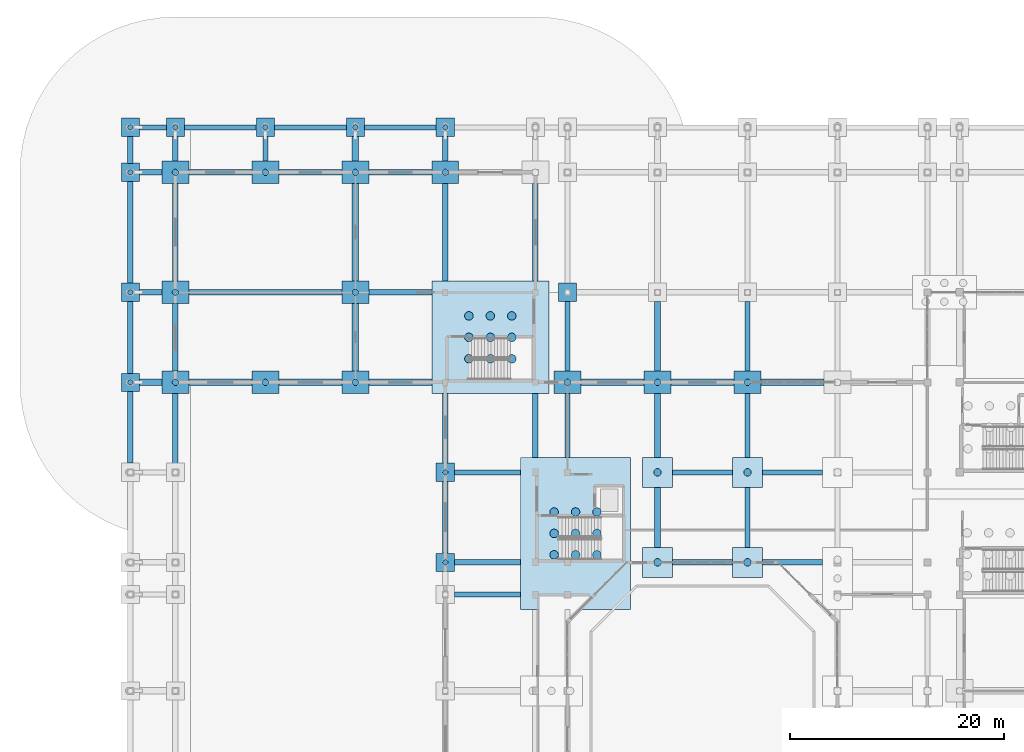
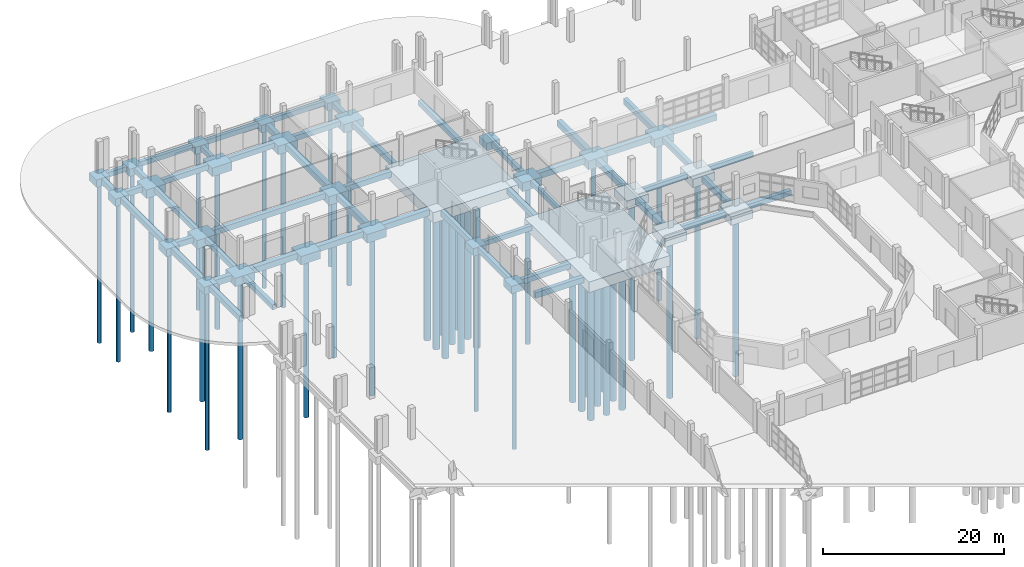
# One storey, part 5 of 88: 80 footings, 44 piles.
"""IFC4 building model written with IfcOpenShell, lengths in metres."""

from ifc_helpers import new_model, si_unit, direction, frame, origin, origin_2d, place, context, subcontext, project, spatial, rectangle, circle, extrude, material, material_profile, profile_set, type_object, element, save


model = new_model("IFC4")

# Units and contexts
model_context = context("Model", 3, precision=1e-05, world=origin(), true_north=direction((0.0, 1.0)))
body_context = subcontext(model_context, "Body", "Model", "MODEL_VIEW")
ifc_project = project(units=[si_unit("LENGTHUNIT", "METRE"), si_unit("AREAUNIT", "SQUARE_METRE"), si_unit("VOLUMEUNIT", "CUBIC_METRE"), si_unit("PLANEANGLEUNIT", "RADIAN"), si_unit("MASSUNIT", "GRAM", prefix="KILO")], contexts=[model_context])

# Site, building, storey
site_placement = place(None, origin())
site = spatial("IfcSite", under=ifc_project, at=site_placement, CompositionType="ELEMENT")
building_placement = place(site_placement, origin())
building = spatial("IfcBuilding", under=site, at=building_placement, Name="Vanh Quang Courtyard School", CompositionType="ELEMENT")
storey_placement = place(building_placement, origin())
storey = spatial("IfcBuildingStorey", under=building, at=storey_placement, Name="L00", CompositionType="ELEMENT", Elevation=0.0)

# Footings
ifc_material_1 = material(Name="Concrete C35/45", Category="concrete")
footing_type_1 = type_object("IfcFootingType", Name="FTG-GB-450x650", PredefinedType="FOOTING_BEAM", material=ifc_material_1)
footing_1_placement = place(storey_placement, frame((33.324951171875, 79.800048828125, -1.050048828125), z_axis=(0.0, 0.0, 1.0), x_axis=(1.0, 0.0, 0.0)))
element("IfcFooting", 1, at=footing_1_placement, inside=storey, type_object=footing_type_1, Name="Footing GB-04 (L00)", PredefinedType="FOOTING_BEAM", context=body_context, shape_type="SweptSolid", body=[
    extrude(rectangle(XDim=6.14990234375, YDim=0.449951171875, at=origin_2d()), origin(), (0.0, 0.0, 1.0), 0.64990234375),
])
for number, where, z_axis, x_axis, name in (
    (2, (53.39990234375, 79.800048828125, -1.050048828125), (0.0, 0.0, 1.0), (1.0, 0.0, 0.0), "Footing GB-04 (L00)"),
    (3, (61.800048828125, 79.800048828125, -1.050048828125), (0.0, 0.0, 1.0), (1.0, 0.0, 0.0), "Footing GB-04 (L00)"),
):
    element("IfcFooting", number, at=place(storey_placement, frame(where, z_axis=z_axis, x_axis=x_axis)), inside=storey, type_object=footing_type_1, Name=name, PredefinedType="FOOTING_BEAM", context=body_context, shape_type="SweptSolid", body=[
        extrude(rectangle(XDim=5.60009765625, YDim=0.449951171875, at=origin_2d()), origin(), (0.0, 0.0, 1.0), 0.64990234375),
    ])
footing_2_placement = place(storey_placement, frame((2.10009765625, 112.0, -1.050048828125), z_axis=(0.0, 0.0, 1.0), x_axis=(1.0, 0.0, 0.0)))
element("IfcFooting", 4, at=footing_2_placement, inside=storey, type_object=footing_type_1, Name="Footing GB-04 (L00)", PredefinedType="FOOTING_BEAM", context=body_context, shape_type="SweptSolid", body=[
    extrude(rectangle(XDim=2.5, YDim=0.449951171875, at=origin_2d()), origin(), (0.0, 0.0, 1.0), 0.64990234375),
])
for number, where, z_axis, x_axis, name in (
    (5, (8.39990234375, 112.0, -1.050048828125), (0.0, 0.0, 1.0), (1.0, 0.0, 0.0), "Footing GB-04 (L00)"),
    (6, (16.800048828125, 112.0, -1.050048828125), (0.0, 0.0, 1.0), (1.0, 0.0, 0.0), "Footing GB-04 (L00)"),
    (7, (25.199951171875, 112.0, -1.050048828125), (0.0, 0.0, 1.0), (1.0, 0.0, 0.0), "Footing GB-04 (L00)"),
):
    element("IfcFooting", number, at=place(storey_placement, frame(where, z_axis=z_axis, x_axis=x_axis)), inside=storey, type_object=footing_type_1, Name=name, PredefinedType="FOOTING_BEAM", context=body_context, shape_type="SweptSolid", body=[
        extrude(rectangle(XDim=6.699951171875, YDim=0.449951171875, at=origin_2d()), origin(), (0.0, 0.0, 1.0), 0.64990234375),
    ])
footing_3_placement = place(storey_placement, frame((12.60009765625, 110.0, -1.050048828125), z_axis=(0.0, 0.0, 1.0), x_axis=(0.0, 1.0, 0.0)))
element("IfcFooting", 8, at=footing_3_placement, inside=storey, type_object=footing_type_1, Name="Footing GB-04 (L00)", PredefinedType="FOOTING_BEAM", context=body_context, shape_type="SweptSolid", body=[
    extrude(rectangle(XDim=2.300048828125, YDim=0.449951171875, at=origin_2d()), origin(), (0.0, 0.0, 1.0), 0.64990234375),
])
footing_4_placement = place(storey_placement, frame((40.800048828125, 84.175048828125, -1.050048828125), z_axis=(0.0, 0.0, 1.0), x_axis=(0.0, 1.0, 0.0)))
element("IfcFooting", 9, at=footing_4_placement, inside=storey, type_object=footing_type_1, Name="Footing GB-04 (L00)", PredefinedType="FOOTING_BEAM", context=body_context, shape_type="SweptSolid", body=[
    extrude(rectangle(XDim=5.949951171875, YDim=0.449951171875, at=origin_2d()), origin(), (0.0, 0.0, 1.0), 0.64990234375),
])
footing_5_placement = place(storey_placement, frame((40.800048828125, 92.5, -1.050048828125), z_axis=(0.0, 0.0, 1.0), x_axis=(0.0, 1.0, 0.0)))
element("IfcFooting", 10, at=footing_5_placement, inside=storey, type_object=footing_type_1, Name="Footing GB-04 (L00)", PredefinedType="FOOTING_BEAM", context=body_context, shape_type="SweptSolid", body=[
    extrude(rectangle(XDim=6.5, YDim=0.449951171875, at=origin_2d()), origin(), (0.0, 0.0, 1.0), 0.64990234375),
])
footing_type_2 = type_object("IfcFootingType", Name="FTG-GB-500x700", PredefinedType="FOOTING_BEAM", material=ifc_material_1)
footing_6_placement = place(storey_placement, frame((33.324951171875, 71.39990234375, -1.10009765625), z_axis=(0.0, 0.0, 1.0), x_axis=(1.0, 0.0, 0.0)))
element("IfcFooting", 11, at=footing_6_placement, inside=storey, type_object=footing_type_2, Name="Footing GB-03 (L00)", PredefinedType="FOOTING_BEAM", context=body_context, shape_type="SweptSolid", body=[
    extrude(rectangle(XDim=6.14990234375, YDim=0.5, at=origin_2d()), origin(), (0.0, 0.0, 1.0), 0.699951171875),
])
for number, where, z_axis, x_axis, name in (
    (12, (53.39990234375, 71.39990234375, -1.10009765625), (0.0, 0.0, 1.0), (1.0, 0.0, 0.0), "Footing GB-03 (L00)"),
    (13, (61.800048828125, 71.39990234375, -1.10009765625), (0.0, 0.0, 1.0), (1.0, 0.0, 0.0), "Footing GB-03 (L00)"),
):
    element("IfcFooting", number, at=place(storey_placement, frame(where, z_axis=z_axis, x_axis=x_axis)), inside=storey, type_object=footing_type_2, Name=name, PredefinedType="FOOTING_BEAM", context=body_context, shape_type="SweptSolid", body=[
        extrude(rectangle(XDim=5.60009765625, YDim=0.5, at=origin_2d()), origin(), (0.0, 0.0, 1.0), 0.699951171875),
    ])
footing_7_placement = place(storey_placement, frame((1.89990234375, 107.800048828125, -1.10009765625), z_axis=(0.0, 0.0, 1.0), x_axis=(1.0, 0.0, 0.0)))
element("IfcFooting", 14, at=footing_7_placement, inside=storey, type_object=footing_type_2, Name="Footing GB-03 (L00)", PredefinedType="FOOTING_BEAM", context=body_context, shape_type="SweptSolid", body=[
    extrude(rectangle(XDim=2.10009765625, YDim=0.5, at=origin_2d()), origin(), (0.0, 0.0, 1.0), 0.699951171875),
])
for number, where, z_axis, x_axis, name in (
    (15, (8.39990234375, 107.800048828125, -1.10009765625), (0.0, 0.0, 1.0), (1.0, 0.0, 0.0), "Footing GB-03 (L00)"),
    (16, (16.800048828125, 107.800048828125, -1.10009765625), (0.0, 0.0, 1.0), (1.0, 0.0, 0.0), "Footing GB-03 (L00)"),
    (17, (25.199951171875, 107.800048828125, -1.10009765625), (0.0, 0.0, 1.0), (1.0, 0.0, 0.0), "Footing GB-03 (L00)"),
):
    element("IfcFooting", number, at=place(storey_placement, frame(where, z_axis=z_axis, x_axis=x_axis)), inside=storey, type_object=footing_type_2, Name=name, PredefinedType="FOOTING_BEAM", context=body_context, shape_type="SweptSolid", body=[
        extrude(rectangle(XDim=5.89990234375, YDim=0.5, at=origin_2d()), origin(), (0.0, 0.0, 1.0), 0.699951171875),
    ])
footing_8_placement = place(storey_placement, frame((4.199951171875, 83.89990234375, -1.10009765625), z_axis=(0.0, 0.0, 1.0), x_axis=(0.0, 1.0, 0.0)))
element("IfcFooting", 18, at=footing_8_placement, inside=storey, type_object=footing_type_2, Name="Footing GB-03 (L00)", PredefinedType="FOOTING_BEAM", context=body_context, shape_type="SweptSolid", body=[
    extrude(rectangle(XDim=6.5, YDim=0.5, at=origin_2d()), origin(), (0.0, 0.0, 1.0), 0.699951171875),
])
footing_9_placement = place(storey_placement, frame((4.199951171875, 92.39990234375, -1.10009765625), z_axis=(0.0, 0.0, 1.0), x_axis=(0.0, 1.0, 0.0)))
element("IfcFooting", 19, at=footing_9_placement, inside=storey, type_object=footing_type_2, Name="Footing GB-03 (L00)", PredefinedType="FOOTING_BEAM", context=body_context, shape_type="SweptSolid", body=[
    extrude(rectangle(XDim=6.300048828125, YDim=0.5, at=origin_2d()), origin(), (0.0, 0.0, 1.0), 0.699951171875),
])
footing_10_placement = place(storey_placement, frame((4.199951171875, 102.199951171875, -1.10009765625), z_axis=(0.0, 0.0, 1.0), x_axis=(0.0, 1.0, 0.0)))
element("IfcFooting", 20, at=footing_10_placement, inside=storey, type_object=footing_type_2, Name="Footing GB-03 (L00)", PredefinedType="FOOTING_BEAM", context=body_context, shape_type="SweptSolid", body=[
    extrude(rectangle(XDim=9.10009765625, YDim=0.5, at=origin_2d()), origin(), (0.0, 0.0, 1.0), 0.699951171875),
])
footing_11_placement = place(storey_placement, frame((4.199951171875, 110.0, -1.10009765625), z_axis=(0.0, 0.0, 1.0), x_axis=(0.0, 1.0, 0.0)))
element("IfcFooting", 21, at=footing_11_placement, inside=storey, type_object=footing_type_2, Name="Footing GB-03 (L00)", PredefinedType="FOOTING_BEAM", context=body_context, shape_type="SweptSolid", body=[
    extrude(rectangle(XDim=2.300048828125, YDim=0.5, at=origin_2d()), origin(), (0.0, 0.0, 1.0), 0.699951171875),
])
footing_12_placement = place(storey_placement, frame((37.800048828125, 84.175048828125, -1.10009765625), z_axis=(0.0, 0.0, 1.0), x_axis=(0.0, 1.0, 0.0)))
element("IfcFooting", 22, at=footing_12_placement, inside=storey, type_object=footing_type_2, Name="Footing GB-03 (L00)", PredefinedType="FOOTING_BEAM", context=body_context, shape_type="SweptSolid", body=[
    extrude(rectangle(XDim=5.949951171875, YDim=0.5, at=origin_2d()), origin(), (0.0, 0.0, 1.0), 0.699951171875),
])
footing_13_placement = place(storey_placement, frame((37.800048828125, 102.199951171875, -1.10009765625), z_axis=(0.0, 0.0, 1.0), x_axis=(0.0, 1.0, 0.0)))
element("IfcFooting", 23, at=footing_13_placement, inside=storey, type_object=footing_type_2, Name="Footing GB-03 (L00)", PredefinedType="FOOTING_BEAM", context=body_context, shape_type="SweptSolid", body=[
    extrude(rectangle(XDim=9.10009765625, YDim=0.5, at=origin_2d()), origin(), (0.0, 0.0, 1.0), 0.699951171875),
])
footing_type_3 = type_object("IfcFootingType", Name="FTG-GB-500x750", PredefinedType="FOOTING_BEAM", material=ifc_material_1)
footing_14_placement = place(storey_placement, frame((33.324951171875, 68.39990234375, -1.14990234375), z_axis=(0.0, 0.0, 1.0), x_axis=(1.0, 0.0, 0.0)))
element("IfcFooting", 24, at=footing_14_placement, inside=storey, type_object=footing_type_3, Name="Footing GB-02 (L00)", PredefinedType="FOOTING_BEAM", context=body_context, shape_type="SweptSolid", body=[
    extrude(rectangle(XDim=6.14990234375, YDim=0.5, at=origin_2d()), origin(), (0.0, 0.0, 1.0), 0.75),
])
footing_15_placement = place(storey_placement, frame((1.89990234375, 96.60009765625, -1.14990234375), z_axis=(0.0, 0.0, 1.0), x_axis=(1.0, 0.0, 0.0)))
element("IfcFooting", 25, at=footing_15_placement, inside=storey, type_object=footing_type_3, Name="Footing GB-02 (L00)", PredefinedType="FOOTING_BEAM", context=body_context, shape_type="SweptSolid", body=[
    extrude(rectangle(XDim=2.10009765625, YDim=0.5, at=origin_2d()), origin(), (0.0, 0.0, 1.0), 0.75),
])
footing_16_placement = place(storey_placement, frame((12.60009765625, 96.60009765625, -1.14990234375), z_axis=(0.0, 0.0, 1.0), x_axis=(1.0, 0.0, 0.0)))
element("IfcFooting", 26, at=footing_16_placement, inside=storey, type_object=footing_type_3, Name="Footing GB-02 (L00)", PredefinedType="FOOTING_BEAM", context=body_context, shape_type="SweptSolid", body=[
    extrude(rectangle(XDim=14.300048828125, YDim=0.5, at=origin_2d()), origin(), (0.0, 0.0, 1.0), 0.75),
])
footing_17_placement = place(storey_placement, frame((25.199951171875, 96.60009765625, -1.14990234375), z_axis=(0.0, 0.0, 1.0), x_axis=(1.0, 0.0, 0.0)))
element("IfcFooting", 27, at=footing_17_placement, inside=storey, type_object=footing_type_3, Name="Footing GB-02 (L00)", PredefinedType="FOOTING_BEAM", context=body_context, shape_type="SweptSolid", body=[
    extrude(rectangle(XDim=5.89990234375, YDim=0.5, at=origin_2d()), origin(), (0.0, 0.0, 1.0), 0.75),
])
for number, where, z_axis, x_axis, name in (
    (28, (0.0, 84.0, -1.14990234375), (0.0, 0.0, 1.0), (0.0, 1.0, 0.0), "Footing GB-02 (L00)"),
    (29, (0.0, 92.39990234375, -1.14990234375), (0.0, 0.0, 1.0), (0.0, 1.0, 0.0), "Footing GB-02 (L00)"),
):
    element("IfcFooting", number, at=place(storey_placement, frame(where, z_axis=z_axis, x_axis=x_axis)), inside=storey, type_object=footing_type_3, Name=name, PredefinedType="FOOTING_BEAM", context=body_context, shape_type="SweptSolid", body=[
        extrude(rectangle(XDim=6.699951171875, YDim=0.5, at=origin_2d()), origin(), (0.0, 0.0, 1.0), 0.75),
    ])
footing_18_placement = place(storey_placement, frame((0.0, 102.199951171875, -1.14990234375), z_axis=(0.0, 0.0, 1.0), x_axis=(0.0, 1.0, 0.0)))
element("IfcFooting", 30, at=footing_18_placement, inside=storey, type_object=footing_type_3, Name="Footing GB-02 (L00)", PredefinedType="FOOTING_BEAM", context=body_context, shape_type="SweptSolid", body=[
    extrude(rectangle(XDim=9.5, YDim=0.5, at=origin_2d()), origin(), (0.0, 0.0, 1.0), 0.75),
])
footing_19_placement = place(storey_placement, frame((0.0, 109.89990234375, -1.14990234375), z_axis=(0.0, 0.0, 1.0), x_axis=(0.0, 1.0, 0.0)))
element("IfcFooting", 31, at=footing_19_placement, inside=storey, type_object=footing_type_3, Name="Footing GB-02 (L00)", PredefinedType="FOOTING_BEAM", context=body_context, shape_type="SweptSolid", body=[
    extrude(rectangle(XDim=2.5, YDim=0.5, at=origin_2d()), origin(), (0.0, 0.0, 1.0), 0.75),
])
footing_20_placement = place(storey_placement, frame((29.39990234375, 75.60009765625, -1.14990234375), z_axis=(0.0, 0.0, 1.0), x_axis=(0.0, 1.0, 0.0)))
element("IfcFooting", 32, at=footing_20_placement, inside=storey, type_object=footing_type_3, Name="Footing GB-02 (L00)", PredefinedType="FOOTING_BEAM", context=body_context, shape_type="SweptSolid", body=[
    extrude(rectangle(XDim=6.699951171875, YDim=0.5, at=origin_2d()), origin(), (0.0, 0.0, 1.0), 0.75),
])
footing_21_placement = place(storey_placement, frame((29.39990234375, 83.89990234375, -1.14990234375), z_axis=(0.0, 0.0, 1.0), x_axis=(0.0, 1.0, 0.0)))
element("IfcFooting", 33, at=footing_21_placement, inside=storey, type_object=footing_type_3, Name="Footing GB-02 (L00)", PredefinedType="FOOTING_BEAM", context=body_context, shape_type="SweptSolid", body=[
    extrude(rectangle(XDim=6.5, YDim=0.5, at=origin_2d()), origin(), (0.0, 0.0, 1.0), 0.75),
])
footing_22_placement = place(storey_placement, frame((29.39990234375, 102.199951171875, -1.14990234375), z_axis=(0.0, 0.0, 1.0), x_axis=(0.0, 1.0, 0.0)))
element("IfcFooting", 34, at=footing_22_placement, inside=storey, type_object=footing_type_3, Name="Footing GB-02 (L00)", PredefinedType="FOOTING_BEAM", context=body_context, shape_type="SweptSolid", body=[
    extrude(rectangle(XDim=9.10009765625, YDim=0.5, at=origin_2d()), origin(), (0.0, 0.0, 1.0), 0.75),
])
footing_23_placement = place(storey_placement, frame((29.39990234375, 110.0, -1.14990234375), z_axis=(0.0, 0.0, 1.0), x_axis=(0.0, 1.0, 0.0)))
element("IfcFooting", 35, at=footing_23_placement, inside=storey, type_object=footing_type_3, Name="Footing GB-02 (L00)", PredefinedType="FOOTING_BEAM", context=body_context, shape_type="SweptSolid", body=[
    extrude(rectangle(XDim=2.300048828125, YDim=0.5, at=origin_2d()), origin(), (0.0, 0.0, 1.0), 0.75),
])
footing_24_placement = place(storey_placement, frame((57.60009765625, 75.60009765625, -1.14990234375), z_axis=(0.0, 0.0, 1.0), x_axis=(0.0, 1.0, 0.0)))
element("IfcFooting", 36, at=footing_24_placement, inside=storey, type_object=footing_type_3, Name="Footing GB-02 (L00)", PredefinedType="FOOTING_BEAM", context=body_context, shape_type="SweptSolid", body=[
    extrude(rectangle(XDim=5.60009765625, YDim=0.5, at=origin_2d()), origin(), (0.0, 0.0, 1.0), 0.75),
])
footing_25_placement = place(storey_placement, frame((57.60009765625, 84.175048828125, -1.14990234375), z_axis=(0.0, 0.0, 1.0), x_axis=(0.0, 1.0, 0.0)))
element("IfcFooting", 37, at=footing_25_placement, inside=storey, type_object=footing_type_3, Name="Footing GB-02 (L00)", PredefinedType="FOOTING_BEAM", context=body_context, shape_type="SweptSolid", body=[
    extrude(rectangle(XDim=5.949951171875, YDim=0.5, at=origin_2d()), origin(), (0.0, 0.0, 1.0), 0.75),
])
footing_26_placement = place(storey_placement, frame((57.60009765625, 92.5, -1.14990234375), z_axis=(0.0, 0.0, 1.0), x_axis=(0.0, 1.0, 0.0)))
element("IfcFooting", 38, at=footing_26_placement, inside=storey, type_object=footing_type_3, Name="Footing GB-02 (L00)", PredefinedType="FOOTING_BEAM", context=body_context, shape_type="SweptSolid", body=[
    extrude(rectangle(XDim=6.5, YDim=0.5, at=origin_2d()), origin(), (0.0, 0.0, 1.0), 0.75),
])
footing_type_4 = type_object("IfcFootingType", Name="FTG-GB-600x800", PredefinedType="FOOTING_BEAM", material=ifc_material_1)
footing_27_placement = place(storey_placement, frame((1.89990234375, 88.199951171875, -1.2001953125), z_axis=(0.0, 0.0, 1.0), x_axis=(1.0, 0.0, 0.0)))
element("IfcFooting", 39, at=footing_27_placement, inside=storey, type_object=footing_type_4, Name="Footing GB-01 (L00)", PredefinedType="FOOTING_BEAM", context=body_context, shape_type="SweptSolid", body=[
    extrude(rectangle(XDim=2.10009765625, YDim=0.60009765625, at=origin_2d()), origin(), (0.0, 0.0, 1.0), 0.800048828125),
])
for number, where, z_axis, x_axis, name in (
    (40, (8.39990234375, 88.199951171875, -1.2001953125), (0.0, 0.0, 1.0), (1.0, 0.0, 0.0), "Footing GB-01 (L00)"),
    (41, (16.800048828125, 88.199951171875, -1.2001953125), (0.0, 0.0, 1.0), (1.0, 0.0, 0.0), "Footing GB-01 (L00)"),
    (42, (25.199951171875, 88.199951171875, -1.2001953125), (0.0, 0.0, 1.0), (1.0, 0.0, 0.0), "Footing GB-01 (L00)"),
    (43, (45.0, 88.199951171875, -1.2001953125), (0.0, 0.0, 1.0), (1.0, 0.0, 0.0), "Footing GB-01 (L00)"),
    (44, (53.39990234375, 88.199951171875, -1.2001953125), (0.0, 0.0, 1.0), (1.0, 0.0, 0.0), "Footing GB-01 (L00)"),
    (45, (61.800048828125, 88.199951171875, -1.2001953125), (0.0, 0.0, 1.0), (1.0, 0.0, 0.0), "Footing GB-01 (L00)"),
):
    element("IfcFooting", number, at=place(storey_placement, frame(where, z_axis=z_axis, x_axis=x_axis)), inside=storey, type_object=footing_type_4, Name=name, PredefinedType="FOOTING_BEAM", context=body_context, shape_type="SweptSolid", body=[
        extrude(rectangle(XDim=5.89990234375, YDim=0.60009765625, at=origin_2d()), origin(), (0.0, 0.0, 1.0), 0.800048828125),
    ])
footing_28_placement = place(storey_placement, frame((21.0, 92.39990234375, -1.2001953125), z_axis=(0.0, 0.0, 1.0), x_axis=(0.0, 1.0, 0.0)))
element("IfcFooting", 46, at=footing_28_placement, inside=storey, type_object=footing_type_4, Name="Footing GB-01 (L00)", PredefinedType="FOOTING_BEAM", context=body_context, shape_type="SweptSolid", body=[
    extrude(rectangle(XDim=6.300048828125, YDim=0.60009765625, at=origin_2d()), origin(), (0.0, 0.0, 1.0), 0.800048828125),
])
footing_29_placement = place(storey_placement, frame((21.0, 102.199951171875, -1.2001953125), z_axis=(0.0, 0.0, 1.0), x_axis=(0.0, 1.0, 0.0)))
element("IfcFooting", 47, at=footing_29_placement, inside=storey, type_object=footing_type_4, Name="Footing GB-01 (L00)", PredefinedType="FOOTING_BEAM", context=body_context, shape_type="SweptSolid", body=[
    extrude(rectangle(XDim=9.10009765625, YDim=0.60009765625, at=origin_2d()), origin(), (0.0, 0.0, 1.0), 0.800048828125),
])
footing_30_placement = place(storey_placement, frame((21.0, 110.0, -1.2001953125), z_axis=(0.0, 0.0, 1.0), x_axis=(0.0, 1.0, 0.0)))
element("IfcFooting", 48, at=footing_30_placement, inside=storey, type_object=footing_type_4, Name="Footing GB-01 (L00)", PredefinedType="FOOTING_BEAM", context=body_context, shape_type="SweptSolid", body=[
    extrude(rectangle(XDim=2.300048828125, YDim=0.60009765625, at=origin_2d()), origin(), (0.0, 0.0, 1.0), 0.800048828125),
])
footing_31_placement = place(storey_placement, frame((49.199951171875, 75.60009765625, -1.2001953125), z_axis=(0.0, 0.0, 1.0), x_axis=(0.0, 1.0, 0.0)))
element("IfcFooting", 49, at=footing_31_placement, inside=storey, type_object=footing_type_4, Name="Footing GB-01 (L00)", PredefinedType="FOOTING_BEAM", context=body_context, shape_type="SweptSolid", body=[
    extrude(rectangle(XDim=5.60009765625, YDim=0.60009765625, at=origin_2d()), origin(), (0.0, 0.0, 1.0), 0.800048828125),
])
footing_32_placement = place(storey_placement, frame((49.199951171875, 84.175048828125, -1.2001953125), z_axis=(0.0, 0.0, 1.0), x_axis=(0.0, 1.0, 0.0)))
element("IfcFooting", 50, at=footing_32_placement, inside=storey, type_object=footing_type_4, Name="Footing GB-01 (L00)", PredefinedType="FOOTING_BEAM", context=body_context, shape_type="SweptSolid", body=[
    extrude(rectangle(XDim=5.949951171875, YDim=0.60009765625, at=origin_2d()), origin(), (0.0, 0.0, 1.0), 0.800048828125),
])
footing_33_placement = place(storey_placement, frame((49.199951171875, 92.5, -1.2001953125), z_axis=(0.0, 0.0, 1.0), x_axis=(0.0, 1.0, 0.0)))
element("IfcFooting", 51, at=footing_33_placement, inside=storey, type_object=footing_type_4, Name="Footing GB-01 (L00)", PredefinedType="FOOTING_BEAM", context=body_context, shape_type="SweptSolid", body=[
    extrude(rectangle(XDim=6.5, YDim=0.60009765625, at=origin_2d()), origin(), (0.0, 0.0, 1.0), 0.800048828125),
])
footing_type_5 = type_object("IfcFootingType", Name="FTG-PC-01", PredefinedType="PILE_CAP", material=ifc_material_1)
for number, where, z_axis, x_axis, name in (
    (52, (29.39990234375, 71.39990234375, -1.39990234375), (0.0, 0.0, 1.0), (1.0, 0.0, 0.0), "Footing PC-01 (L00)"),
    (53, (29.39990234375, 79.800048828125, -1.39990234375), (0.0, 0.0, 1.0), (1.0, 0.0, 0.0), "Footing PC-01 (L00)"),
    (54, (0.0, 88.199951171875, -1.39990234375), (0.0, 0.0, 1.0), (1.0, 0.0, 0.0), "Footing PC-01 (L00)"),
    (55, (0.0, 96.60009765625, -1.39990234375), (0.0, 0.0, 1.0), (1.0, 0.0, 0.0), "Footing PC-01 (L00)"),
    (56, (40.800048828125, 96.60009765625, -1.39990234375), (0.0, 0.0, 1.0), (1.0, 0.0, 0.0), "Footing PC-01 (L00)"),
    (57, (0.0, 107.800048828125, -1.39990234375), (0.0, 0.0, 1.0), (1.0, 0.0, 0.0), "Footing PC-01 (L00)"),
    (58, (0.0, 112.0, -1.39990234375), (0.0, 0.0, 1.0), (1.0, 0.0, 0.0), "Footing PC-01 (L00)"),
    (59, (4.199951171875, 112.0, -1.39990234375), (0.0, 0.0, 1.0), (1.0, 0.0, 0.0), "Footing PC-01 (L00)"),
    (60, (12.60009765625, 112.0, -1.39990234375), (0.0, 0.0, 1.0), (1.0, 0.0, 0.0), "Footing PC-01 (L00)"),
    (61, (21.0, 112.0, -1.39990234375), (0.0, 0.0, 1.0), (1.0, 0.0, 0.0), "Footing PC-01 (L00)"),
    (62, (29.39990234375, 112.0, -1.39990234375), (0.0, 0.0, 1.0), (1.0, 0.0, 0.0), "Footing PC-01 (L00)"),
):
    element("IfcFooting", number, at=place(storey_placement, frame(where, z_axis=z_axis, x_axis=x_axis)), inside=storey, type_object=footing_type_5, Name=name, PredefinedType="PILE_CAP", context=body_context, shape_type="SweptSolid", body=[
        extrude(rectangle(XDim=1.699951171875, YDim=1.699951171875, at=origin_2d()), origin(), (0.0, 0.0, 1.0), 1.0),
    ])
footing_type_6 = type_object("IfcFootingType", Name="FTG-PC-03", PredefinedType="PILE_CAP", material=ifc_material_1)
for number, where, z_axis, x_axis, name in (
    (63, (4.199951171875, 88.199951171875, -1.550048828125), (0.0, 0.0, 1.0), (1.0, 0.0, 0.0), "Footing PC-03 (L00)"),
    (64, (12.60009765625, 88.199951171875, -1.550048828125), (0.0, 0.0, 1.0), (1.0, 0.0, 0.0), "Footing PC-03 (L00)"),
    (65, (21.0, 88.199951171875, -1.550048828125), (0.0, 0.0, 1.0), (1.0, 0.0, 0.0), "Footing PC-03 (L00)"),
    (66, (40.800048828125, 88.199951171875, -1.550048828125), (0.0, 0.0, 1.0), (1.0, 0.0, 0.0), "Footing PC-03 (L00)"),
    (67, (49.199951171875, 88.199951171875, -1.550048828125), (0.0, 0.0, 1.0), (1.0, 0.0, 0.0), "Footing PC-03 (L00)"),
    (68, (57.60009765625, 88.199951171875, -1.550048828125), (0.0, 0.0, 1.0), (1.0, 0.0, 0.0), "Footing PC-03 (L00)"),
    (69, (4.199951171875, 96.60009765625, -1.550048828125), (0.0, 0.0, 1.0), (1.0, 0.0, 0.0), "Footing PC-03 (L00)"),
    (70, (21.0, 96.60009765625, -1.550048828125), (0.0, 0.0, 1.0), (1.0, 0.0, 0.0), "Footing PC-03 (L00)"),
    (71, (4.199951171875, 107.800048828125, -1.550048828125), (0.0, 0.0, 1.0), (1.0, 0.0, 0.0), "Footing PC-03 (L00)"),
    (72, (12.60009765625, 107.800048828125, -1.550048828125), (0.0, 0.0, 1.0), (1.0, 0.0, 0.0), "Footing PC-03 (L00)"),
    (73, (21.0, 107.800048828125, -1.550048828125), (0.0, 0.0, 1.0), (1.0, 0.0, 0.0), "Footing PC-03 (L00)"),
    (74, (29.39990234375, 107.800048828125, -1.550048828125), (0.0, 0.0, 1.0), (1.0, 0.0, 0.0), "Footing PC-03 (L00)"),
):
    element("IfcFooting", number, at=place(storey_placement, frame(where, z_axis=z_axis, x_axis=x_axis)), inside=storey, type_object=footing_type_6, Name=name, PredefinedType="PILE_CAP", context=body_context, shape_type="SweptSolid", body=[
        extrude(rectangle(XDim=2.5, YDim=2.10009765625, at=origin_2d()), origin(), (0.0, 0.0, 1.0), 1.14990234375),
    ])
footing_type_7 = type_object("IfcFootingType", Name="FTG-PC-04", PredefinedType="PILE_CAP", material=ifc_material_1)
footing_34_placement = place(storey_placement, frame((33.60009765625, 92.39990234375, -1.800048828125), z_axis=(0.0, 0.0, 1.0), x_axis=(1.0, 0.0, 0.0)))
element("IfcFooting", 75, at=footing_34_placement, inside=storey, type_object=footing_type_7, Name="Footing PC-04 (L00)", PredefinedType="PILE_CAP", context=body_context, shape_type="SweptSolid", body=[
    extrude(rectangle(XDim=10.89990234375, YDim=10.5, at=origin_2d()), origin(), (0.0, 0.0, 1.0), 1.39990234375),
])
footing_type_8 = type_object("IfcFootingType", Name="FTG-PC-14", PredefinedType="PILE_CAP", material=ifc_material_1)
for number, where, z_axis, x_axis, name in (
    (76, (49.199951171875, 71.39990234375, -1.550048828125), (0.0, 0.0, 1.0), (1.0, 0.0, 0.0), "Footing PC-14 (L00)"),
    (77, (57.60009765625, 71.39990234375, -1.550048828125), (0.0, 0.0, 1.0), (1.0, 0.0, 0.0), "Footing PC-14 (L00)"),
    (78, (49.199951171875, 79.800048828125, -1.550048828125), (0.0, 0.0, 1.0), (1.0, 0.0, 0.0), "Footing PC-14 (L00)"),
    (79, (57.60009765625, 79.800048828125, -1.550048828125), (0.0, 0.0, 1.0), (1.0, 0.0, 0.0), "Footing PC-14 (L00)"),
):
    element("IfcFooting", number, at=place(storey_placement, frame(where, z_axis=z_axis, x_axis=x_axis)), inside=storey, type_object=footing_type_8, Name=name, PredefinedType="PILE_CAP", context=body_context, shape_type="SweptSolid", body=[
        extrude(rectangle(XDim=2.800048828125, YDim=2.800048828125, at=origin_2d()), origin(), (0.0, 0.0, 1.0), 1.14990234375),
    ])
footing_type_9 = type_object("IfcFootingType", Name="FTG-PC-22", PredefinedType="PILE_CAP", material=ifc_material_1)
footing_35_placement = place(storey_placement, frame((41.550048828125, 74.10009765625, -1.800048828125), z_axis=(0.0, 0.0, 1.0), x_axis=(1.0, 0.0, 0.0)))
element("IfcFooting", 80, at=footing_35_placement, inside=storey, type_object=footing_type_9, Name="Footing PC-22 (L00)", PredefinedType="PILE_CAP", context=body_context, shape_type="SweptSolid", body=[
    extrude(rectangle(XDim=10.300048828125, YDim=14.199951171875, at=origin_2d()), origin(), (0.0, 0.0, 1.0), 1.39990234375),
])

# Piles
ifc_material_2 = material(Name="Concrete C30/37", Category="concrete")
ifc_material_profile_1 = material_profile(ifc_material_2, circle(Radius=0.25, at=origin_2d()), Name="PILE D500")
ifc_profile_set_1 = profile_set([ifc_material_profile_1], Name="Concrete C30/37")
pile_type_1 = type_object("IfcPileType", Name="PILE-BORED-500", PredefinedType="BORED", material=ifc_profile_set_1)
for number, where, z_axis, x_axis, name in (
    (81, (29.39990234375, 71.39990234375, -1.300048828125), (0.0, 0.0, -1.0), (1.0, 0.0, 0.0), "Bored Pile BP-01 (L00)"),
    (82, (29.39990234375, 79.800048828125, -1.300048828125), (0.0, 0.0, -1.0), (1.0, 0.0, 0.0), "Bored Pile BP-01 (L00)"),
    (83, (0.0, 88.199951171875, -1.300048828125), (0.0, 0.0, -1.0), (1.0, 0.0, 0.0), "Bored Pile BP-01 (L00)"),
    (84, (0.0, 96.60009765625, -1.300048828125), (0.0, 0.0, -1.0), (1.0, 0.0, 0.0), "Bored Pile BP-01 (L00)"),
    (85, (0.0, 107.800048828125, -1.300048828125), (0.0, 0.0, -1.0), (1.0, 0.0, 0.0), "Bored Pile BP-01 (L00)"),
    (86, (0.0, 112.0, -1.300048828125), (0.0, 0.0, -1.0), (1.0, 0.0, 0.0), "Bored Pile BP-01 (L00)"),
    (87, (4.199951171875, 112.0, -1.300048828125), (0.0, 0.0, -1.0), (1.0, 0.0, 0.0), "Bored Pile BP-01 (L00)"),
    (88, (12.60009765625, 112.0, -1.300048828125), (0.0, 0.0, -1.0), (1.0, 0.0, 0.0), "Bored Pile BP-01 (L00)"),
    (89, (21.0, 112.0, -1.300048828125), (0.0, 0.0, -1.0), (1.0, 0.0, 0.0), "Bored Pile BP-01 (L00)"),
    (90, (29.39990234375, 112.0, -1.300048828125), (0.0, 0.0, -1.0), (1.0, 0.0, 0.0), "Bored Pile BP-01 (L00)"),
):
    element("IfcPile", number, at=place(storey_placement, frame(where, z_axis=z_axis, x_axis=x_axis)), inside=storey, type_object=pile_type_1, Name=name, PredefinedType="BORED", context=body_context, shape_type="SweptSolid", body=[
        extrude(circle(Radius=0.25, at=origin_2d()), origin(), (0.0, 0.0, 1.0), 21.699951171875),
    ])
ifc_material_profile_2 = material_profile(ifc_material_2, circle(Radius=0.300048828125, at=origin_2d()), Name="PILE D600")
ifc_profile_set_2 = profile_set([ifc_material_profile_2], Name="Concrete C30/37")
pile_type_2 = type_object("IfcPileType", Name="PILE-BORED-600", PredefinedType="BORED", material=ifc_profile_set_2)
for number, where, z_axis, x_axis, name in (
    (91, (4.199951171875, 88.199951171875, -1.449951171875), (0.0, 0.0, -1.0), (1.0, 0.0, 0.0), "Bored Pile BP-02 (L00)"),
    (92, (12.60009765625, 88.199951171875, -1.449951171875), (0.0, 0.0, -1.0), (1.0, 0.0, 0.0), "Bored Pile BP-02 (L00)"),
    (93, (21.0, 88.199951171875, -1.449951171875), (0.0, 0.0, -1.0), (1.0, 0.0, 0.0), "Bored Pile BP-02 (L00)"),
    (94, (40.800048828125, 88.199951171875, -1.449951171875), (0.0, 0.0, -1.0), (1.0, 0.0, 0.0), "Bored Pile BP-02 (L00)"),
    (95, (49.199951171875, 88.199951171875, -1.449951171875), (0.0, 0.0, -1.0), (1.0, 0.0, 0.0), "Bored Pile BP-02 (L00)"),
    (96, (57.60009765625, 88.199951171875, -1.449951171875), (0.0, 0.0, -1.0), (1.0, 0.0, 0.0), "Bored Pile BP-02 (L00)"),
    (97, (4.199951171875, 96.60009765625, -1.449951171875), (0.0, 0.0, -1.0), (1.0, 0.0, 0.0), "Bored Pile BP-02 (L00)"),
    (98, (21.0, 96.60009765625, -1.449951171875), (0.0, 0.0, -1.0), (1.0, 0.0, 0.0), "Bored Pile BP-02 (L00)"),
    (99, (4.199951171875, 107.800048828125, -1.449951171875), (0.0, 0.0, -1.0), (1.0, 0.0, 0.0), "Bored Pile BP-02 (L00)"),
    (100, (12.60009765625, 107.800048828125, -1.449951171875), (0.0, 0.0, -1.0), (1.0, 0.0, 0.0), "Bored Pile BP-02 (L00)"),
    (101, (21.0, 107.800048828125, -1.449951171875), (0.0, 0.0, -1.0), (1.0, 0.0, 0.0), "Bored Pile BP-02 (L00)"),
    (102, (29.39990234375, 107.800048828125, -1.449951171875), (0.0, 0.0, -1.0), (1.0, 0.0, 0.0), "Bored Pile BP-02 (L00)"),
):
    element("IfcPile", number, at=place(storey_placement, frame(where, z_axis=z_axis, x_axis=x_axis)), inside=storey, type_object=pile_type_2, Name=name, PredefinedType="BORED", context=body_context, shape_type="SweptSolid", body=[
        extrude(circle(Radius=0.300048828125, at=origin_2d()), origin(), (0.0, 0.0, 1.0), 21.550048828125),
    ])
ifc_material_profile_3 = material_profile(ifc_material_2, circle(Radius=0.35009765625, at=origin_2d()), Name="PILE D700")
ifc_profile_set_3 = profile_set([ifc_material_profile_3], Name="Concrete C30/37")
pile_type_3 = type_object("IfcPileType", Name="PILE-BORED-700", PredefinedType="BORED", material=ifc_profile_set_3)
for number, where, z_axis, x_axis, name in (
    (103, (49.199951171875, 71.39990234375, -1.449951171875), (0.0, 0.0, -1.0), (1.0, 0.0, 0.0), "Bored Pile BP-03 (L00)"),
    (104, (57.60009765625, 71.39990234375, -1.449951171875), (0.0, 0.0, -1.0), (1.0, 0.0, 0.0), "Bored Pile BP-03 (L00)"),
    (105, (49.199951171875, 79.800048828125, -1.449951171875), (0.0, 0.0, -1.0), (1.0, 0.0, 0.0), "Bored Pile BP-03 (L00)"),
    (106, (57.60009765625, 79.800048828125, -1.449951171875), (0.0, 0.0, -1.0), (1.0, 0.0, 0.0), "Bored Pile BP-03 (L00)"),
):
    element("IfcPile", number, at=place(storey_placement, frame(where, z_axis=z_axis, x_axis=x_axis)), inside=storey, type_object=pile_type_3, Name=name, PredefinedType="BORED", context=body_context, shape_type="SweptSolid", body=[
        extrude(circle(Radius=0.35009765625, at=origin_2d()), origin(), (0.0, 0.0, 1.0), 21.550048828125),
    ])
ifc_material_profile_4 = material_profile(ifc_material_2, circle(Radius=0.39990234375, at=origin_2d()), Name="PILE D800")
ifc_profile_set_4 = profile_set([ifc_material_profile_4], Name="Concrete C30/37")
pile_type_4 = type_object("IfcPileType", Name="PILE-BORED-800", PredefinedType="BORED", material=ifc_profile_set_4)
for number, where, z_axis, x_axis, name in (
    (107, (39.550048828125, 72.10009765625, -1.699951171875), (0.0, 0.0, -1.0), (1.0, 0.0, 0.0), "Bored Pile BP-04 (L00)"),
    (108, (39.550048828125, 74.10009765625, -1.699951171875), (0.0, 0.0, -1.0), (1.0, 0.0, 0.0), "Bored Pile BP-04 (L00)"),
    (109, (39.550048828125, 76.10009765625, -1.699951171875), (0.0, 0.0, -1.0), (1.0, 0.0, 0.0), "Bored Pile BP-04 (L00)"),
    (110, (41.550048828125, 72.10009765625, -1.699951171875), (0.0, 0.0, -1.0), (1.0, 0.0, 0.0), "Bored Pile BP-04 (L00)"),
    (111, (41.550048828125, 74.10009765625, -1.699951171875), (0.0, 0.0, -1.0), (1.0, 0.0, 0.0), "Bored Pile BP-04 (L00)"),
    (112, (41.550048828125, 76.10009765625, -1.699951171875), (0.0, 0.0, -1.0), (1.0, 0.0, 0.0), "Bored Pile BP-04 (L00)"),
    (113, (43.550048828125, 72.10009765625, -1.699951171875), (0.0, 0.0, -1.0), (1.0, 0.0, 0.0), "Bored Pile BP-04 (L00)"),
    (114, (43.550048828125, 74.10009765625, -1.699951171875), (0.0, 0.0, -1.0), (1.0, 0.0, 0.0), "Bored Pile BP-04 (L00)"),
    (115, (43.550048828125, 76.10009765625, -1.699951171875), (0.0, 0.0, -1.0), (1.0, 0.0, 0.0), "Bored Pile BP-04 (L00)"),
    (116, (31.60009765625, 90.39990234375, -1.699951171875), (0.0, 0.0, -1.0), (1.0, 0.0, 0.0), "Bored Pile BP-04 (L00)"),
    (117, (31.60009765625, 92.39990234375, -1.699951171875), (0.0, 0.0, -1.0), (1.0, 0.0, 0.0), "Bored Pile BP-04 (L00)"),
    (118, (31.60009765625, 94.39990234375, -1.699951171875), (0.0, 0.0, -1.0), (1.0, 0.0, 0.0), "Bored Pile BP-04 (L00)"),
    (119, (33.60009765625, 90.39990234375, -1.699951171875), (0.0, 0.0, -1.0), (1.0, 0.0, 0.0), "Bored Pile BP-04 (L00)"),
    (120, (33.60009765625, 92.39990234375, -1.699951171875), (0.0, 0.0, -1.0), (1.0, 0.0, 0.0), "Bored Pile BP-04 (L00)"),
    (121, (33.60009765625, 94.39990234375, -1.699951171875), (0.0, 0.0, -1.0), (1.0, 0.0, 0.0), "Bored Pile BP-04 (L00)"),
    (122, (35.60009765625, 90.39990234375, -1.699951171875), (0.0, 0.0, -1.0), (1.0, 0.0, 0.0), "Bored Pile BP-04 (L00)"),
    (123, (35.60009765625, 92.39990234375, -1.699951171875), (0.0, 0.0, -1.0), (1.0, 0.0, 0.0), "Bored Pile BP-04 (L00)"),
    (124, (35.60009765625, 94.39990234375, -1.699951171875), (0.0, 0.0, -1.0), (1.0, 0.0, 0.0), "Bored Pile BP-04 (L00)"),
):
    element("IfcPile", number, at=place(storey_placement, frame(where, z_axis=z_axis, x_axis=x_axis)), inside=storey, type_object=pile_type_4, Name=name, PredefinedType="BORED", context=body_context, shape_type="SweptSolid", body=[
        extrude(circle(Radius=0.39990234375, at=origin_2d()), origin(), (0.0, 0.0, 1.0), 21.300048828125),
    ])

save(model, "model.ifc")
